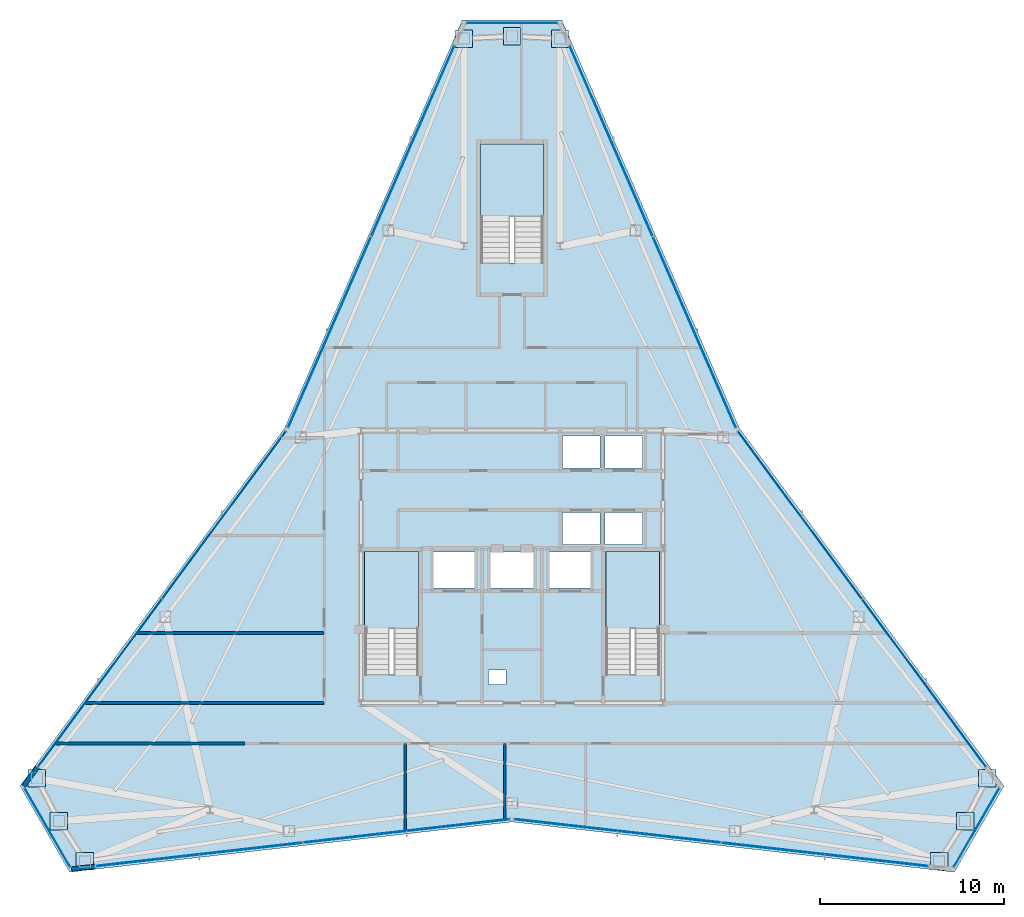
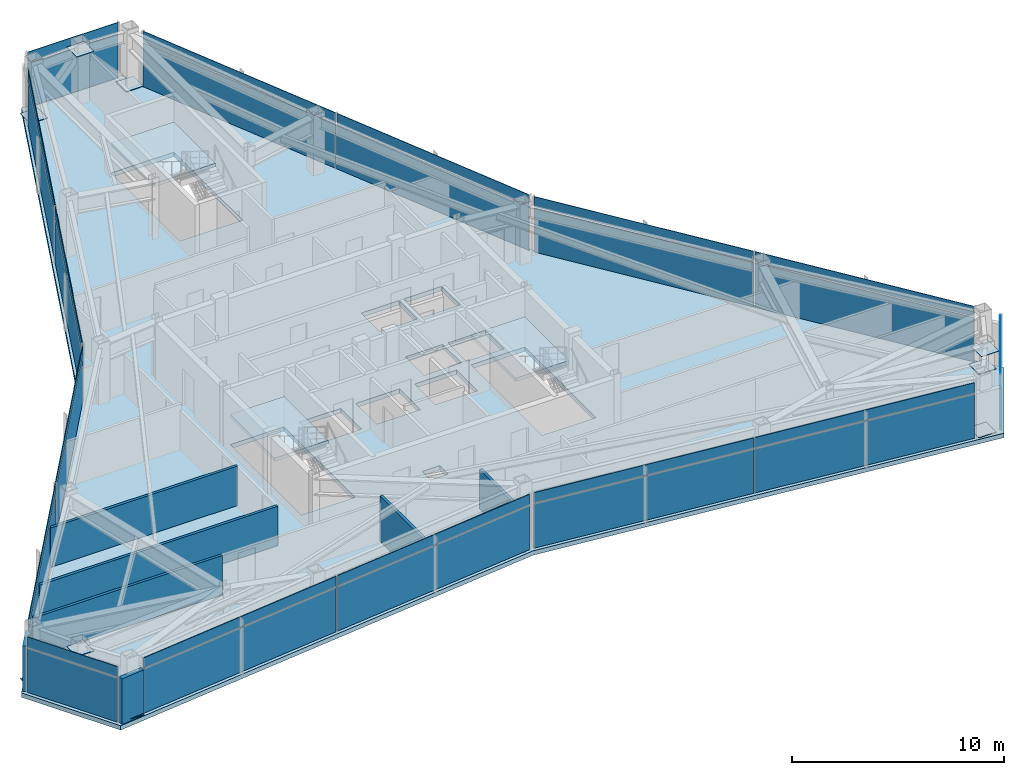
# One storey, part 8 of 12: 39 plates, 7 walls, 4 slabs, 12 elements without a shape of their own.
"""IFC4 building model written with IfcOpenShell, lengths in metres."""

import ifcopenshell
import ifcopenshell.guid

model = None  # the IFC model being written
_history = None  # IfcOwnerHistory: only IFC2X3 demands one
_inside = {}  # id of a spatial element -> (the spatial element, [elements in it])
_under = {}  # id of a project, library or spatial element -> (it, [spatial elements below it])
_declared = {}  # id of a project -> (the project, [libraries it declares])
_typed = {}  # id of a type object -> (the type object, [elements of that type])
_made_of = {}  # id of a material, layer set ... -> (it, [elements and type objects made of it])


def new_model(schema):
    """Start an empty IFC model of exactly this schema.

    Asked for "IFC4X3", IfcOpenShell would pick the latest addendum, in which some entities
    have other attributes; the version numbers below select the first issue.
    IFC2X3 requires an IfcOwnerHistory on every rooted entity: one is made here for all.
    """
    global model, _history
    if schema == "IFC4X3":
        model = ifcopenshell.file(schema_version=(4, 3, 0, 0))
    else:
        model = ifcopenshell.file(schema=schema)
    _inside.clear()
    _under.clear()
    _declared.clear()
    _typed.clear()
    _made_of.clear()
    _history = None
    if model.schema == "IFC2X3":
        org = make("IfcOrganization", Name="unknown")
        user = make(
            "IfcPersonAndOrganization",
            ThePerson=make("IfcPerson", FamilyName="unknown"),
            TheOrganization=org,
        )
        app = make(
            "IfcApplication",
            ApplicationDeveloper=org,
            Version="unknown",
            ApplicationFullName="unknown",
            ApplicationIdentifier="unknown",
        )
        _history = make(
            "IfcOwnerHistory",
            OwningUser=user,
            OwningApplication=app,
            ChangeAction="ADDED",
            CreationDate=0,
        )
    return model


def make(cls, **values):
    """One entity of the class cls with the attributes given. An attribute that is None is left unset."""
    return model.create_entity(
        cls, **{name: value for name, value in values.items() if value is not None}
    )


def rooted(cls, **values):
    """An entity with a GlobalId (a new one), such as an element, a storey or a relation."""
    return make(cls, GlobalId=ifcopenshell.guid.new(), OwnerHistory=_history, **values)


def si_unit(unit_type, name, prefix=None):
    """IfcSIUnit, for example si_unit("LENGTHUNIT", "METRE", prefix="MILLI")."""
    return make("IfcSIUnit", UnitType=unit_type, Prefix=prefix, Name=name)


def assignment(units):
    """IfcUnitAssignment: the units of a project."""
    return None if units is None else make("IfcUnitAssignment", Units=units)


def point(xyz):
    """IfcCartesianPoint."""
    return None if xyz is None else make("IfcCartesianPoint", Coordinates=xyz)


def direction(xyz):
    """IfcDirection."""
    return None if xyz is None else make("IfcDirection", DirectionRatios=xyz)


def frame(location, z_axis=None, x_axis=None):
    """IfcAxis2Placement3D, a coordinate frame: its origin and axes. An axis left out is left unset."""
    return make(
        "IfcAxis2Placement3D",
        Location=point(location),
        Axis=direction(z_axis),
        RefDirection=direction(x_axis),
    )


def frame_2d(location, x_axis=None):
    """IfcAxis2Placement2D, a coordinate frame in the plane: its origin and x axis."""
    return make(
        "IfcAxis2Placement2D", Location=point(location), RefDirection=direction(x_axis)
    )


def origin():
    """The frame at (0, 0, 0) with its axes left unset."""
    return frame((0.0, 0.0, 0.0))


def origin_2d():
    """The frame at (0, 0) in the plane with its x axis left unset."""
    return frame_2d((0.0, 0.0))


def place(relative_to, where):
    """IfcLocalPlacement: puts the frame where relative to a parent placement (None: the world)."""
    return make(
        "IfcLocalPlacement", PlacementRelTo=relative_to, RelativePlacement=where
    )


def context(
    kind, dimensions, precision=None, world=None, true_north=None, identifier=None
):
    """IfcGeometricRepresentationContext, for example the 3D "Model" context."""
    return make(
        "IfcGeometricRepresentationContext",
        ContextIdentifier=identifier,
        ContextType=kind,
        CoordinateSpaceDimension=dimensions,
        Precision=precision,
        WorldCoordinateSystem=world,
        TrueNorth=true_north,
    )


def subcontext(parent, identifier, kind, view, scale=None):
    """IfcGeometricRepresentationSubContext, for example "Body" below "Model"."""
    return make(
        "IfcGeometricRepresentationSubContext",
        ContextIdentifier=identifier,
        ContextType=kind,
        ParentContext=parent,
        TargetScale=scale,
        TargetView=view,
    )


def project(units=None, contexts=None):
    """IfcProject with its units and contexts."""
    return rooted(
        "IfcProject",
        Name="project",
        RepresentationContexts=contexts,
        UnitsInContext=assignment(units),
    )


def spatial(cls, under=None, at=None, **own):
    """A site, building, storey or space (cls), placed at a placement, below another one or the project."""
    s = rooted(cls, ObjectPlacement=at, **own)
    if under is not None:
        _under.setdefault(under.id(), (under, []))[1].append(s)
    return s


def polyline(points):
    """IfcPolyline through the points."""
    return make("IfcPolyline", Points=[point(p) for p in points])


def profile(cls, at=None, kind="AREA", **sizes):
    """A parametric profile (cls). Its sizes go by their IFC names, for example OverallWidth=200.0."""
    return make(cls, ProfileType=kind, Position=at, **sizes)


def rectangle(**sizes):
    """IfcRectangleProfileDef."""
    return profile("IfcRectangleProfileDef", **sizes)


def outline(outer, holes=None, kind="AREA"):
    """IfcArbitraryClosedProfileDef: a profile drawn as a closed curve; with holes, ...WithVoids."""
    if holes is None:
        return make("IfcArbitraryClosedProfileDef", ProfileType=kind, OuterCurve=outer)
    return make(
        "IfcArbitraryProfileDefWithVoids",
        ProfileType=kind,
        OuterCurve=outer,
        InnerCurves=holes,
    )


def extrude(swept, where, along, depth):
    """IfcExtrudedAreaSolid: the profile swept, set in the frame where, extruded along a direction by depth."""
    return make(
        "IfcExtrudedAreaSolid",
        SweptArea=swept,
        Position=where,
        ExtrudedDirection=direction(along),
        Depth=depth,
    )


def shape(context_of_items, identifier, shape_type, items):
    """IfcShapeRepresentation: the items that make up one representation, for example the "Body"."""
    return make(
        "IfcShapeRepresentation",
        ContextOfItems=context_of_items,
        RepresentationIdentifier=identifier,
        RepresentationType=shape_type,
        Items=items,
    )


def source(mapping_origin, context_of_items, identifier, shape_type, items):
    """IfcRepresentationMap: a shape defined once, which mapped items show again and again."""
    return make(
        "IfcRepresentationMap",
        MappingOrigin=mapping_origin,
        MappedRepresentation=shape(context_of_items, identifier, shape_type, items),
    )


def transform(
    local_origin,
    x_axis=None,
    y_axis=None,
    z_axis=None,
    scale=None,
    scale2=None,
    scale3=None,
    uniform=True,
):
    """IfcCartesianTransformationOperator3D, or its non-uniform kind. x_axis, y_axis, z_axis: its Axis1, 2, 3."""
    if uniform:
        return make(
            "IfcCartesianTransformationOperator3D",
            Axis1=direction(x_axis),
            Axis2=direction(y_axis),
            LocalOrigin=point(local_origin),
            Scale=scale,
            Axis3=direction(z_axis),
        )
    return make(
        "IfcCartesianTransformationOperator3DnonUniform",
        Axis1=direction(x_axis),
        Axis2=direction(y_axis),
        LocalOrigin=point(local_origin),
        Scale=scale,
        Axis3=direction(z_axis),
        Scale2=scale2,
        Scale3=scale3,
    )


def mapped(mapping_source, mapping_target):
    """IfcMappedItem: shows the shape of a source again, moved by a transform."""
    return make(
        "IfcMappedItem", MappingSource=mapping_source, MappingTarget=mapping_target
    )


def material(Name=None, Category=None):
    """IfcMaterial."""
    return make("IfcMaterial", Name=Name, Category=Category)


def layer(
    of_material, thickness, ventilated=None, Name=None, Category=None, Priority=None
):
    """IfcMaterialLayer: one layer of a wall or slab, of a material (None: an air gap)."""
    return make(
        "IfcMaterialLayer",
        Material=of_material,
        LayerThickness=thickness,
        IsVentilated=ventilated,
        Name=Name,
        Category=Category,
        Priority=Priority,
    )


def layer_set(layers, Name=None):
    """IfcMaterialLayerSet."""
    return make("IfcMaterialLayerSet", MaterialLayers=layers, LayerSetName=Name)


def made_of(thing, what):
    """Note that an element or type object is made of a material, layer set ...; save() writes the relation."""
    if what is not None:
        _made_of.setdefault(what.id(), (what, []))[1].append(thing)
    return thing


def type_object(cls, material=None, **own):
    """A type object (cls), such as IfcWallType, which elements share."""
    return made_of(rooted(cls, **own), material)


def type_shapes(of_type, sources):
    """Give a type object the sources (RepresentationMaps) that its elements show as mapped items."""
    of_type.RepresentationMaps = sources


def element(
    cls,
    number,
    at=None,
    inside=None,
    cuts=None,
    type_object=None,
    material=None,
    context=None,
    identifier="Body",
    shape_type=None,
    held_by="IfcProductDefinitionShape",
    body=None,
    shapes=None,
    **own,
):
    """One element of the class cls, such as IfcWall. Its Tag is "e" and its number.

    at: its placement. inside: the storey or other place that contains it. cuts: it is an
    opening in that element (IfcRelVoidsElement). A single representation is given by context,
    identifier, shape_type and body (its items); several are given by shapes. held_by: the class
    of the entity that holds the representations. save() writes the other relations.
    """
    e = rooted(cls, Tag="e%d" % number, ObjectPlacement=at, **own)
    if body is not None:
        shapes = [shape(context, identifier, shape_type, body)]
    if shapes is not None:
        e.Representation = make(held_by, Representations=shapes)
    if inside is not None:
        _inside.setdefault(inside.id(), (inside, []))[1].append(e)
    if cuts is not None:
        rooted(
            "IfcRelVoidsElement", RelatingBuildingElement=cuts, RelatedOpeningElement=e
        )
    if type_object is not None:
        _typed.setdefault(type_object.id(), (type_object, []))[1].append(e)
    return made_of(e, material)


def aggregate(whole, parts):
    """IfcRelAggregates: a whole, such as a stair, and the parts it consists of."""
    return rooted("IfcRelAggregates", RelatingObject=whole, RelatedObjects=parts)


def save(model, path):
    """Write the relations noted so far, then the file.

    IfcRelAggregates (storeys below a building ...), IfcRelContainedInSpatialStructure (elements
    in a storey), IfcRelDefinesByType, IfcRelAssociatesMaterial and IfcRelDeclares: one each for
    every whole, place, type object, material and project.
    """
    for whole, parts in _under.values():
        aggregate(whole, parts)
    for where, things in _inside.values():
        rooted(
            "IfcRelContainedInSpatialStructure",
            RelatedElements=things,
            RelatingStructure=where,
        )
    for kind, things in _typed.values():
        rooted("IfcRelDefinesByType", RelatedObjects=things, RelatingType=kind)
    for what, things in _made_of.values():
        rooted("IfcRelAssociatesMaterial", RelatedObjects=things, RelatingMaterial=what)
    for by, libraries in _declared.values():
        rooted("IfcRelDeclares", RelatingContext=by, RelatedDefinitions=libraries)
    model.write(path)


model = new_model("IFC4")

# Units and contexts
model_context = context("Model", 3, precision=1e-05, world=origin(), true_north=direction((0.0, 1.0)))
body_context = subcontext(model_context, "Body", "Model", "MODEL_VIEW")
ifc_project = project(units=[si_unit("LENGTHUNIT", "METRE"), si_unit("AREAUNIT", "SQUARE_METRE"), si_unit("VOLUMEUNIT", "CUBIC_METRE"), si_unit("PLANEANGLEUNIT", "RADIAN"), si_unit("MASSUNIT", "GRAM", prefix="KILO")], contexts=[model_context])

# Site, building, storey
site_placement = place(None, origin())
site = spatial("IfcSite", under=ifc_project, at=site_placement, CompositionType="ELEMENT")
building_placement = place(site_placement, origin())
building = spatial("IfcBuilding", under=site, at=building_placement, Name="Varakhsha Concourse Tower", CompositionType="ELEMENT")
storey_placement = place(building_placement, frame((0.0, 0.0, 283.0)))
storey = spatial("IfcBuildingStorey", under=building, at=storey_placement, Name="L80", CompositionType="ELEMENT", Elevation=283.0)

# Slab
ifc_material_1 = material(Name="Concrete fc 45 MPa", Category="concrete")
ifc_layer_1 = layer(ifc_material_1, 0.25, Name="SL-FLR-250")
ifc_layer_set_1 = layer_set([ifc_layer_1], Name="Concrete fc 45 MPa")
slab_type_1 = type_object("IfcSlabType", Name="SL-FLR-250", PredefinedType="FLOOR", material=ifc_layer_set_1)
slab_1_placement = place(storey_placement, frame((0.0, 0.0, -0.25)))
element("IfcSlab", 1, at=slab_1_placement, inside=storey, type_object=slab_type_1, Name="L80 Composite Structural Slab", PredefinedType="FLOOR", context=body_context, shape_type="SweptSolid", body=[
    extrude(outline(polyline([(42.699951171875, 53.496826171875), (37.300048828125, 53.496826171875), (27.651611328125, 31.329345703125), (13.2783203125, 11.889892578125), (15.978271484375, 7.21337890625), (40.0, 9.94140625), (64.021728515625, 7.21337890625), (66.7216796875, 11.889892578125), (52.348388671875, 31.329345703125), (42.699951171875, 53.496826171875)]), holes=[polyline([(34.919921875, 17.93994140625), (34.919921875, 24.6298828125), (32.0, 24.6298828125), (32.0, 17.93994140625), (34.919921875, 17.93994140625)]), polyline([(48.02001953125, 17.93994140625), (48.02001953125, 24.6298828125), (45.10009765625, 24.6298828125), (45.10009765625, 17.93994140625), (48.02001953125, 17.93994140625)]), polyline([(41.699951171875, 40.300048828125), (41.699951171875, 46.75), (38.300048828125, 46.75), (38.300048828125, 40.300048828125), (41.699951171875, 40.300048828125)]), polyline([(42.739990234375, 29.159912109375), (44.780029296875, 29.159912109375), (44.780029296875, 30.89990234375), (42.739990234375, 30.89990234375), (42.739990234375, 29.159912109375)]), polyline([(45.06005859375, 29.159912109375), (47.10009765625, 29.159912109375), (47.10009765625, 30.89990234375), (45.06005859375, 30.89990234375), (45.06005859375, 29.159912109375)]), polyline([(42.739990234375, 25.0), (44.780029296875, 25.0), (44.780029296875, 26.739990234375), (42.739990234375, 26.739990234375), (42.739990234375, 25.0)]), polyline([(45.06005859375, 25.0), (47.10009765625, 25.0), (47.10009765625, 26.739990234375), (45.06005859375, 26.739990234375), (45.06005859375, 25.0)]), polyline([(35.7099609375, 22.639892578125), (37.989990234375, 22.639892578125), (37.989990234375, 24.60009765625), (35.7099609375, 24.60009765625), (35.7099609375, 22.639892578125)]), polyline([(42.010009765625, 22.639892578125), (44.2900390625, 22.639892578125), (44.2900390625, 24.60009765625), (42.010009765625, 24.60009765625), (42.010009765625, 22.639892578125)]), polyline([(38.81005859375, 22.639892578125), (41.18994140625, 22.639892578125), (41.18994140625, 24.60009765625), (38.81005859375, 24.60009765625), (38.81005859375, 22.639892578125)]), polyline([(38.719970703125, 17.39990234375), (39.679931640625, 17.39990234375), (39.679931640625, 18.199951171875), (38.719970703125, 18.199951171875), (38.719970703125, 17.39990234375)])]), origin(), (0.0, 0.0, 1.0), 0.25),
])

# Stair, slab
stair_type_1 = type_object("IfcStairType", Name="ST-DOGLEG-1360", PredefinedType="HALF_TURN_STAIR", material=ifc_material_1)
stair_1_placement = place(storey_placement, origin())
stair_1 = element("IfcStair", 2, at=stair_1_placement, inside=storey, type_object=stair_type_1, Name="L80 Protected Exit Stair ST1", PredefinedType="HALF_TURN_STAIR")
ifc_layer_2 = layer(ifc_material_1, 0.199951171875, Name="SL-LAND-200")
ifc_layer_set_2 = layer_set([ifc_layer_2], Name="Concrete fc 45 MPa")
slab_type_2 = type_object("IfcSlabType", Name="SL-LAND-200", PredefinedType="LANDING", material=ifc_layer_set_2)
slab_2_placement = place(storey_placement, frame((0.0, 0.0, 1.550048828125)))
slab_2 = element("IfcSlab", 3, at=slab_2_placement, type_object=slab_type_2, Name="ST1 landing 1", PredefinedType="LANDING", context=body_context, shape_type="SweptSolid", body=[
    extrude(outline(polyline([(34.919921875, 20.4599609375), (34.919921875, 24.6298828125), (32.0, 24.6298828125), (32.0, 20.4599609375), (34.919921875, 20.4599609375)])), origin(), (0.0, 0.0, 1.0), 0.199951171875),
])
aggregate(stair_1, [slab_2])

stair_2_placement = place(storey_placement, origin())
stair_2 = element("IfcStair", 4, at=stair_2_placement, inside=storey, type_object=stair_type_1, Name="L80 Protected Exit Stair ST2", PredefinedType="HALF_TURN_STAIR")
slab_3_placement = place(storey_placement, frame((0.0, 0.0, 1.550048828125)))
slab_3 = element("IfcSlab", 5, at=slab_3_placement, type_object=slab_type_2, Name="ST2 landing 1", PredefinedType="LANDING", context=body_context, shape_type="SweptSolid", body=[
    extrude(outline(polyline([(48.02001953125, 20.4599609375), (48.02001953125, 24.6298828125), (45.10009765625, 24.6298828125), (45.10009765625, 20.4599609375), (48.02001953125, 20.4599609375)])), origin(), (0.0, 0.0, 1.0), 0.199951171875),
])
aggregate(stair_2, [slab_3])

stair_type_2 = type_object("IfcStairType", Name="ST-DOGLEG-1600", PredefinedType="HALF_TURN_STAIR", material=ifc_material_1)
stair_3_placement = place(storey_placement, origin())
stair_3 = element("IfcStair", 6, at=stair_3_placement, inside=storey, type_object=stair_type_2, Name="L80 Protected Exit Stair ST5", PredefinedType="HALF_TURN_STAIR")
slab_4_placement = place(storey_placement, frame((0.0, 0.0, 1.550048828125)))
slab_4 = element("IfcSlab", 7, at=slab_4_placement, type_object=slab_type_2, Name="ST5 landing 1", PredefinedType="LANDING", context=body_context, shape_type="SweptSolid", body=[
    extrude(outline(polyline([(41.699951171875, 42.820068359375), (41.699951171875, 46.75), (38.300048828125, 46.75), (38.300048828125, 42.820068359375), (41.699951171875, 42.820068359375)])), origin(), (0.0, 0.0, 1.0), 0.199951171875),
])
aggregate(stair_3, [slab_4])

# Plates
ifc_material_2 = material(Name="Structural Steel ASTM A572 Grade 50", Category="steel")
ifc_layer_3 = layer(ifc_material_2, 0.030029296875, Name="PL-ENDCAP-950")
ifc_layer_set_3 = layer_set([ifc_layer_3], Name="Structural Steel ASTM A572 Grade 50")
plate_type_1 = type_object("IfcPlateType", Name="PL-ENDCAP-950", PredefinedType="USERDEFINED", material=ifc_layer_set_3)
shared_shape_1 = source(origin(), body_context, "Body", "SweptSolid", [
    extrude(rectangle(XDim=0.949951171875, YDim=0.949951171875, at=origin_2d()), origin(), (0.0, 0.0, 1.0), 0.030029296875),
])
type_shapes(plate_type_1, [shared_shape_1])
for number, where, z_axis, x_axis, name in (
    (8, (42.607177734375, 52.489013671875, 0.10498046875), (0.0, 0.0, 1.0), (1.0, 0.0, 0.0), "Hollow Section End Cap GP-NODE-L80-0847"),
    (9, (40.0, 52.61669921875, 2.93505859375), (0.0, 0.0, 1.0), (1.0, 0.0, 0.0), "Hollow Section End Cap GP-NODE-L80-0848"),
    (10, (37.392822265625, 52.489013671875, 0.10498046875), (0.0, 0.0, 1.0), (1.0, 0.0, 0.0), "Hollow Section End Cap GP-NODE-L80-0849"),
    (11, (14.197509765625, 12.313232421875, 0.10498046875), (0.0, 0.0, 1.0), (1.0, 0.0, 0.0), "Hollow Section End Cap GP-NODE-L80-0850"),
    (12, (15.390380859375, 9.99169921875, 2.93505859375), (0.0, 0.0, 1.0), (1.0, 0.0, 0.0), "Hollow Section End Cap GP-NODE-L80-0851"),
    (13, (16.8046875, 7.797607421875, 0.10498046875), (0.0, 0.0, 1.0), (1.0, 0.0, 0.0), "Hollow Section End Cap GP-NODE-L80-0852"),
    (14, (63.1953125, 7.797607421875, 0.10498046875), (0.0, 0.0, 1.0), (1.0, 0.0, 0.0), "Hollow Section End Cap GP-NODE-L80-0853"),
    (15, (64.609619140625, 9.99169921875, 2.93505859375), (0.0, 0.0, 1.0), (1.0, 0.0, 0.0), "Hollow Section End Cap GP-NODE-L80-0854"),
    (16, (65.802490234375, 12.313232421875, 0.10498046875), (0.0, 0.0, 1.0), (1.0, 0.0, 0.0), "Hollow Section End Cap GP-NODE-L80-0855"),
):
    element("IfcPlate", number, at=place(storey_placement, frame(where, z_axis=z_axis, x_axis=x_axis)), inside=storey, type_object=plate_type_1, Name=name, ObjectType="END PLATE", PredefinedType="USERDEFINED", context=body_context, shape_type="MappedRepresentation", body=[
        mapped(shared_shape_1, transform((0.0, 0.0, 0.0), scale=1.0)),
    ])

# Curtain wall, plate
ifc_material_3 = material(Name="Anodised Bronze Architectural Aluminium AA 6063-T6", Category="aluminium")
ifc_layer_4 = layer(ifc_material_3, 0.199951171875, Name="CW-SYS-05")
ifc_layer_set_4 = layer_set([ifc_layer_4], Name="Anodised Bronze Architectural Aluminium AA 6063-T6")
curtain_wall_type = type_object("IfcCurtainWallType", Name="CW-SYS-05", PredefinedType="NOTDEFINED", material=ifc_layer_set_4)
curtain_wall_1_placement = place(storey_placement, origin())
curtain_wall_1 = element("IfcCurtainWall", 17, at=curtain_wall_1_placement, inside=storey, type_object=curtain_wall_type, Name="L80 Chamfer Curtain Wall F1", PredefinedType="NOTDEFINED")
ifc_material_4 = material(Name="Insulated Anodised Bronze Aluminium Spandrel 36 mm", Category="aluminium")
ifc_layer_5 = layer(ifc_material_4, 0.035888671875, Name="CWP-SPN-36")
ifc_layer_set_5 = layer_set([ifc_layer_5], Name="Insulated Anodised Bronze Aluminium Spandrel 36 mm")
plate_type_2 = type_object("IfcPlateType", Name="CWP-SPN-36", PredefinedType="USERDEFINED", material=ifc_layer_set_5)
shared_shape_2 = source(origin(), body_context, "Body", "SweptSolid", [
    extrude(rectangle(XDim=4.89111328125, YDim=0.035888671875, at=origin_2d()), origin(), (0.0, 0.0, 1.0), 2.535888671875),
])
plate_1_placement = place(storey_placement, frame((40.0, 53.3369140625, 0.0322265625), z_axis=(0.0, 0.0, 1.0), x_axis=(1.0, 0.0, 0.0)))
plate_1 = element("IfcPlate", 18, at=plate_1_placement, type_object=plate_type_2, Name="CW-L80-F1 Panel 00-00", ObjectType="SPANDREL", PredefinedType="USERDEFINED", context=body_context, shape_type="MappedRepresentation", body=[
    mapped(shared_shape_2, transform((0.0, 0.0, 0.0), scale=1.0)),
])

curtain_wall_2_placement = place(storey_placement, origin())
curtain_wall_2 = element("IfcCurtainWall", 19, at=curtain_wall_2_placement, inside=storey, type_object=curtain_wall_type, Name="L80 Chamfer Curtain Wall F4", PredefinedType="NOTDEFINED")
plate_2_placement = place(storey_placement, frame((14.766845703125, 9.631591796875, 0.0322265625), z_axis=(0.0, 0.0, 1.0), x_axis=(-0.499989419466, 0.866031512372, 0.0)))
plate_2 = element("IfcPlate", 20, at=plate_2_placement, type_object=plate_type_2, Name="CW-L80-F4 Panel 00-00", ObjectType="SPANDREL", PredefinedType="USERDEFINED", context=body_context, shape_type="MappedRepresentation", body=[
    mapped(shared_shape_2, transform((0.0, 0.0, 0.0), scale=1.0)),
])

curtain_wall_3_placement = place(storey_placement, origin())
curtain_wall_3 = element("IfcCurtainWall", 21, at=curtain_wall_3_placement, inside=storey, type_object=curtain_wall_type, Name="L80 Chamfer Curtain Wall F7", PredefinedType="NOTDEFINED")
plate_3_placement = place(storey_placement, frame((65.233154296875, 9.631591796875, 0.0322265625), z_axis=(0.0, 0.0, 1.0), x_axis=(-0.499989419466, -0.866031512372, 0.0)))
plate_3 = element("IfcPlate", 22, at=plate_3_placement, type_object=plate_type_2, Name="CW-L80-F7 Panel 00-00", ObjectType="SPANDREL", PredefinedType="USERDEFINED", context=body_context, shape_type="MappedRepresentation", body=[
    mapped(shared_shape_2, transform((0.0, 0.0, 0.0), scale=1.0)),
])

# Plate
shared_shape_3 = source(origin(), body_context, "Body", "SweptSolid", [
    extrude(rectangle(XDim=4.89111328125, YDim=0.035888671875, at=origin_2d()), origin(), (0.0, 0.0, 1.0), 0.5859375),
])
plate_4_placement = place(storey_placement, frame((40.0, 53.3369140625, 2.632080078125), z_axis=(0.0, 0.0, 1.0), x_axis=(1.0, 0.0, 0.0)))
plate_4 = element("IfcPlate", 23, at=plate_4_placement, type_object=plate_type_2, Name="CW-L80-F1 Panel 00-01", ObjectType="SPANDREL", PredefinedType="USERDEFINED", context=body_context, shape_type="MappedRepresentation", body=[
    mapped(shared_shape_3, transform((0.0, 0.0, 0.0), scale=1.0)),
])

aggregate(curtain_wall_1, [plate_1, plate_4])

plate_5_placement = place(storey_placement, frame((14.766845703125, 9.631591796875, 2.632080078125), z_axis=(0.0, 0.0, 1.0), x_axis=(-0.499989419466, 0.866031512372, 0.0)))
plate_5 = element("IfcPlate", 24, at=plate_5_placement, type_object=plate_type_2, Name="CW-L80-F4 Panel 00-01", ObjectType="SPANDREL", PredefinedType="USERDEFINED", context=body_context, shape_type="MappedRepresentation", body=[
    mapped(shared_shape_3, transform((0.0, 0.0, 0.0), scale=1.0)),
])

aggregate(curtain_wall_2, [plate_2, plate_5])

plate_6_placement = place(storey_placement, frame((65.233154296875, 9.631591796875, 2.632080078125), z_axis=(0.0, 0.0, 1.0), x_axis=(-0.499989419466, -0.866031512372, 0.0)))
plate_6 = element("IfcPlate", 25, at=plate_6_placement, type_object=plate_type_2, Name="CW-L80-F7 Panel 00-01", ObjectType="SPANDREL", PredefinedType="USERDEFINED", context=body_context, shape_type="MappedRepresentation", body=[
    mapped(shared_shape_3, transform((0.0, 0.0, 0.0), scale=1.0)),
])

aggregate(curtain_wall_3, [plate_3, plate_6])

# Curtain wall, plates
curtain_wall_4_placement = place(storey_placement, origin())
curtain_wall_4 = element("IfcCurtainWall", 26, at=curtain_wall_4_placement, inside=storey, type_object=curtain_wall_type, Name="L80 Crystal Curtain Wall F2", PredefinedType="NOTDEFINED")
ifc_material_5 = material(Name="Low-E Triple Insulating Glass IGU 44 mm", Category="glass")
ifc_layer_6 = layer(ifc_material_5, 0.0439453125, Name="CWP-IGU-44")
ifc_layer_set_6 = layer_set([ifc_layer_6], Name="Low-E Triple Insulating Glass IGU 44 mm")
plate_type_3 = type_object("IfcPlateType", Name="CWP-IGU-44", PredefinedType="CURTAIN_PANEL", material=ifc_layer_set_6)
shared_shape_4 = source(origin(), body_context, "Body", "SweptSolid", [
    extrude(rectangle(XDim=11.26904296875, YDim=0.0439453125, at=origin_2d()), origin(), (0.0, 0.0, 1.0), 2.535888671875),
])
type_shapes(plate_type_3, [shared_shape_4])
plate_7_placement = place(storey_placement, frame((30.0927734375, 36.536865234375, 0.0322265625), z_axis=(0.0, 0.0, 1.0), x_axis=(0.39908356189, 0.916914560158, 0.0)))
plate_7 = element("IfcPlate", 27, at=plate_7_placement, type_object=plate_type_3, Name="CW-L80-F2 Panel 00-00", PredefinedType="CURTAIN_PANEL", context=body_context, shape_type="MappedRepresentation", body=[
    mapped(shared_shape_4, transform((0.0, 0.0, 0.0), scale=1.0)),
])
plate_8_placement = place(storey_placement, frame((34.61767578125, 46.932861328125, 0.0322265625), z_axis=(0.0, 0.0, 1.0), x_axis=(0.39908356189, 0.916914560158, 0.0)))
plate_8 = element("IfcPlate", 28, at=plate_8_placement, type_object=plate_type_3, Name="CW-L80-F2 Panel 01-00", PredefinedType="CURTAIN_PANEL", context=body_context, shape_type="MappedRepresentation", body=[
    mapped(shared_shape_4, transform((0.0, 0.0, 0.0), scale=1.0)),
])

curtain_wall_5_placement = place(storey_placement, origin())
curtain_wall_5 = element("IfcCurtainWall", 29, at=curtain_wall_5_placement, inside=storey, type_object=curtain_wall_type, Name="L80 Crystal Curtain Wall F3", PredefinedType="NOTDEFINED")
plate_9_placement = place(storey_placement, frame((17.62158203125, 17.494873046875, 0.0322265625), z_axis=(0.0, 0.0, 1.0), x_axis=(0.594533731364, 0.804070669948, 0.0)))
plate_9 = element("IfcPlate", 30, at=plate_9_placement, type_object=plate_type_3, Name="CW-L80-F3 Panel 00-00", PredefinedType="CURTAIN_PANEL", context=body_context, shape_type="MappedRepresentation", body=[
    mapped(shared_shape_4, transform((0.0, 0.0, 0.0), scale=1.0)),
])
plate_10_placement = place(storey_placement, frame((24.3623046875, 26.611572265625, 0.0322265625), z_axis=(0.0, 0.0, 1.0), x_axis=(0.594533731364, 0.804070669948, 0.0)))
plate_10 = element("IfcPlate", 31, at=plate_10_placement, type_object=plate_type_3, Name="CW-L80-F3 Panel 01-00", PredefinedType="CURTAIN_PANEL", context=body_context, shape_type="MappedRepresentation", body=[
    mapped(shared_shape_4, transform((0.0, 0.0, 0.0), scale=1.0)),
])

curtain_wall_6_placement = place(storey_placement, origin())
curtain_wall_6 = element("IfcCurtainWall", 32, at=curtain_wall_6_placement, inside=storey, type_object=curtain_wall_type, Name="L80 Crystal Curtain Wall F5", PredefinedType="NOTDEFINED")
plate_11_placement = place(storey_placement, frame((34.269775390625, 9.45166015625, 0.0322265625), z_axis=(0.0, 0.0, 1.0), x_axis=(-0.993612689247, -0.112844245613, 0.0)))
plate_11 = element("IfcPlate", 33, at=plate_11_placement, type_object=plate_type_3, Name="CW-L80-F5 Panel 00-00", PredefinedType="CURTAIN_PANEL", context=body_context, shape_type="MappedRepresentation", body=[
    mapped(shared_shape_4, transform((0.0, 0.0, 0.0), scale=1.0)),
])
plate_12_placement = place(storey_placement, frame((23.00390625, 8.172119140625, 0.0322265625), z_axis=(0.0, 0.0, 1.0), x_axis=(-0.993612689247, -0.112844245613, 0.0)))
plate_12 = element("IfcPlate", 34, at=plate_12_placement, type_object=plate_type_3, Name="CW-L80-F5 Panel 01-00", PredefinedType="CURTAIN_PANEL", context=body_context, shape_type="MappedRepresentation", body=[
    mapped(shared_shape_4, transform((0.0, 0.0, 0.0), scale=1.0)),
])

curtain_wall_7_placement = place(storey_placement, origin())
curtain_wall_7 = element("IfcCurtainWall", 35, at=curtain_wall_7_placement, inside=storey, type_object=curtain_wall_type, Name="L80 Crystal Curtain Wall F6", PredefinedType="NOTDEFINED")
plate_13_placement = place(storey_placement, frame((56.99609375, 8.172119140625, 0.0322265625), z_axis=(0.0, 0.0, 1.0), x_axis=(-0.993612689247, 0.112844245613, 0.0)))
plate_13 = element("IfcPlate", 36, at=plate_13_placement, type_object=plate_type_3, Name="CW-L80-F6 Panel 00-00", PredefinedType="CURTAIN_PANEL", context=body_context, shape_type="MappedRepresentation", body=[
    mapped(shared_shape_4, transform((0.0, 0.0, 0.0), scale=1.0)),
])
plate_14_placement = place(storey_placement, frame((45.73046875, 9.45166015625, 0.0322265625), z_axis=(0.0, 0.0, 1.0), x_axis=(-0.993612689247, 0.112844245613, 0.0)))
plate_14 = element("IfcPlate", 37, at=plate_14_placement, type_object=plate_type_3, Name="CW-L80-F6 Panel 01-00", PredefinedType="CURTAIN_PANEL", context=body_context, shape_type="MappedRepresentation", body=[
    mapped(shared_shape_4, transform((0.0, 0.0, 0.0), scale=1.0)),
])

curtain_wall_8_placement = place(storey_placement, origin())
curtain_wall_8 = element("IfcCurtainWall", 38, at=curtain_wall_8_placement, inside=storey, type_object=curtain_wall_type, Name="L80 Crystal Curtain Wall F8", PredefinedType="NOTDEFINED")
plate_15_placement = place(storey_placement, frame((55.6376953125, 26.611572265625, 0.0322265625), z_axis=(0.0, 0.0, 1.0), x_axis=(0.594533731364, -0.804070669948, 0.0)))
plate_15 = element("IfcPlate", 39, at=plate_15_placement, type_object=plate_type_3, Name="CW-L80-F8 Panel 00-00", PredefinedType="CURTAIN_PANEL", context=body_context, shape_type="MappedRepresentation", body=[
    mapped(shared_shape_4, transform((0.0, 0.0, 0.0), scale=1.0)),
])
plate_16_placement = place(storey_placement, frame((62.37841796875, 17.494873046875, 0.0322265625), z_axis=(0.0, 0.0, 1.0), x_axis=(0.594533731364, -0.804070669948, 0.0)))
plate_16 = element("IfcPlate", 40, at=plate_16_placement, type_object=plate_type_3, Name="CW-L80-F8 Panel 01-00", PredefinedType="CURTAIN_PANEL", context=body_context, shape_type="MappedRepresentation", body=[
    mapped(shared_shape_4, transform((0.0, 0.0, 0.0), scale=1.0)),
])

curtain_wall_9_placement = place(storey_placement, origin())
curtain_wall_9 = element("IfcCurtainWall", 41, at=curtain_wall_9_placement, inside=storey, type_object=curtain_wall_type, Name="L80 Crystal Curtain Wall F9", PredefinedType="NOTDEFINED")
plate_17_placement = place(storey_placement, frame((45.38232421875, 46.932861328125, 0.0322265625), z_axis=(0.0, 0.0, 1.0), x_axis=(0.39908356189, -0.916914560158, 0.0)))
plate_17 = element("IfcPlate", 42, at=plate_17_placement, type_object=plate_type_3, Name="CW-L80-F9 Panel 00-00", PredefinedType="CURTAIN_PANEL", context=body_context, shape_type="MappedRepresentation", body=[
    mapped(shared_shape_4, transform((0.0, 0.0, 0.0), scale=1.0)),
])
plate_18_placement = place(storey_placement, frame((49.9072265625, 36.536865234375, 0.0322265625), z_axis=(0.0, 0.0, 1.0), x_axis=(0.39908356189, -0.916914560158, 0.0)))
plate_18 = element("IfcPlate", 43, at=plate_18_placement, type_object=plate_type_3, Name="CW-L80-F9 Panel 01-00", PredefinedType="CURTAIN_PANEL", context=body_context, shape_type="MappedRepresentation", body=[
    mapped(shared_shape_4, transform((0.0, 0.0, 0.0), scale=1.0)),
])

# Plate
shared_shape_5 = source(origin(), body_context, "Body", "SweptSolid", [
    extrude(rectangle(XDim=11.26904296875, YDim=0.035888671875, at=origin_2d()), origin(), (0.0, 0.0, 1.0), 0.5859375),
])
type_shapes(plate_type_2, [shared_shape_2, shared_shape_3, shared_shape_5])
plate_19_placement = place(storey_placement, frame((30.0927734375, 36.536865234375, 2.632080078125), z_axis=(0.0, 0.0, 1.0), x_axis=(0.39908356189, 0.916914560158, 0.0)))
plate_19 = element("IfcPlate", 44, at=plate_19_placement, type_object=plate_type_2, Name="CW-L80-F2 Panel 00-01", ObjectType="SPANDREL", PredefinedType="USERDEFINED", context=body_context, shape_type="MappedRepresentation", body=[
    mapped(shared_shape_5, transform((0.0, 0.0, 0.0), scale=1.0)),
])

plate_20_placement = place(storey_placement, frame((34.61767578125, 46.932861328125, 2.632080078125), z_axis=(0.0, 0.0, 1.0), x_axis=(0.39908356189, 0.916914560158, 0.0)))
plate_20 = element("IfcPlate", 45, at=plate_20_placement, type_object=plate_type_2, Name="CW-L80-F2 Panel 01-01", ObjectType="SPANDREL", PredefinedType="USERDEFINED", context=body_context, shape_type="MappedRepresentation", body=[
    mapped(shared_shape_5, transform((0.0, 0.0, 0.0), scale=1.0)),
])

aggregate(curtain_wall_4, [plate_7, plate_19, plate_8, plate_20])

plate_21_placement = place(storey_placement, frame((17.62158203125, 17.494873046875, 2.632080078125), z_axis=(0.0, 0.0, 1.0), x_axis=(0.594533731364, 0.804070669948, 0.0)))
plate_21 = element("IfcPlate", 46, at=plate_21_placement, type_object=plate_type_2, Name="CW-L80-F3 Panel 00-01", ObjectType="SPANDREL", PredefinedType="USERDEFINED", context=body_context, shape_type="MappedRepresentation", body=[
    mapped(shared_shape_5, transform((0.0, 0.0, 0.0), scale=1.0)),
])

plate_22_placement = place(storey_placement, frame((24.3623046875, 26.611572265625, 2.632080078125), z_axis=(0.0, 0.0, 1.0), x_axis=(0.594533731364, 0.804070669948, 0.0)))
plate_22 = element("IfcPlate", 47, at=plate_22_placement, type_object=plate_type_2, Name="CW-L80-F3 Panel 01-01", ObjectType="SPANDREL", PredefinedType="USERDEFINED", context=body_context, shape_type="MappedRepresentation", body=[
    mapped(shared_shape_5, transform((0.0, 0.0, 0.0), scale=1.0)),
])

aggregate(curtain_wall_5, [plate_9, plate_21, plate_10, plate_22])

plate_23_placement = place(storey_placement, frame((34.269775390625, 9.45166015625, 2.632080078125), z_axis=(0.0, 0.0, 1.0), x_axis=(-0.993612689247, -0.112844245613, 0.0)))
plate_23 = element("IfcPlate", 48, at=plate_23_placement, type_object=plate_type_2, Name="CW-L80-F5 Panel 00-01", ObjectType="SPANDREL", PredefinedType="USERDEFINED", context=body_context, shape_type="MappedRepresentation", body=[
    mapped(shared_shape_5, transform((0.0, 0.0, 0.0), scale=1.0)),
])

plate_24_placement = place(storey_placement, frame((23.00390625, 8.172119140625, 2.632080078125), z_axis=(0.0, 0.0, 1.0), x_axis=(-0.993612689247, -0.112844245613, 0.0)))
plate_24 = element("IfcPlate", 49, at=plate_24_placement, type_object=plate_type_2, Name="CW-L80-F5 Panel 01-01", ObjectType="SPANDREL", PredefinedType="USERDEFINED", context=body_context, shape_type="MappedRepresentation", body=[
    mapped(shared_shape_5, transform((0.0, 0.0, 0.0), scale=1.0)),
])

aggregate(curtain_wall_6, [plate_11, plate_23, plate_12, plate_24])

plate_25_placement = place(storey_placement, frame((56.99609375, 8.172119140625, 2.632080078125), z_axis=(0.0, 0.0, 1.0), x_axis=(-0.993612689247, 0.112844245613, 0.0)))
plate_25 = element("IfcPlate", 50, at=plate_25_placement, type_object=plate_type_2, Name="CW-L80-F6 Panel 00-01", ObjectType="SPANDREL", PredefinedType="USERDEFINED", context=body_context, shape_type="MappedRepresentation", body=[
    mapped(shared_shape_5, transform((0.0, 0.0, 0.0), scale=1.0)),
])

plate_26_placement = place(storey_placement, frame((45.73046875, 9.45166015625, 2.632080078125), z_axis=(0.0, 0.0, 1.0), x_axis=(-0.993612689247, 0.112844245613, 0.0)))
plate_26 = element("IfcPlate", 51, at=plate_26_placement, type_object=plate_type_2, Name="CW-L80-F6 Panel 01-01", ObjectType="SPANDREL", PredefinedType="USERDEFINED", context=body_context, shape_type="MappedRepresentation", body=[
    mapped(shared_shape_5, transform((0.0, 0.0, 0.0), scale=1.0)),
])

aggregate(curtain_wall_7, [plate_13, plate_25, plate_14, plate_26])

plate_27_placement = place(storey_placement, frame((55.6376953125, 26.611572265625, 2.632080078125), z_axis=(0.0, 0.0, 1.0), x_axis=(0.594533731364, -0.804070669948, 0.0)))
plate_27 = element("IfcPlate", 52, at=plate_27_placement, type_object=plate_type_2, Name="CW-L80-F8 Panel 00-01", ObjectType="SPANDREL", PredefinedType="USERDEFINED", context=body_context, shape_type="MappedRepresentation", body=[
    mapped(shared_shape_5, transform((0.0, 0.0, 0.0), scale=1.0)),
])

plate_28_placement = place(storey_placement, frame((62.37841796875, 17.494873046875, 2.632080078125), z_axis=(0.0, 0.0, 1.0), x_axis=(0.594533731364, -0.804070669948, 0.0)))
plate_28 = element("IfcPlate", 53, at=plate_28_placement, type_object=plate_type_2, Name="CW-L80-F8 Panel 01-01", ObjectType="SPANDREL", PredefinedType="USERDEFINED", context=body_context, shape_type="MappedRepresentation", body=[
    mapped(shared_shape_5, transform((0.0, 0.0, 0.0), scale=1.0)),
])

aggregate(curtain_wall_8, [plate_15, plate_27, plate_16, plate_28])

plate_29_placement = place(storey_placement, frame((45.38232421875, 46.932861328125, 2.632080078125), z_axis=(0.0, 0.0, 1.0), x_axis=(0.39908356189, -0.916914560158, 0.0)))
plate_29 = element("IfcPlate", 54, at=plate_29_placement, type_object=plate_type_2, Name="CW-L80-F9 Panel 00-01", ObjectType="SPANDREL", PredefinedType="USERDEFINED", context=body_context, shape_type="MappedRepresentation", body=[
    mapped(shared_shape_5, transform((0.0, 0.0, 0.0), scale=1.0)),
])

plate_30_placement = place(storey_placement, frame((49.9072265625, 36.536865234375, 2.632080078125), z_axis=(0.0, 0.0, 1.0), x_axis=(0.39908356189, -0.916914560158, 0.0)))
plate_30 = element("IfcPlate", 55, at=plate_30_placement, type_object=plate_type_2, Name="CW-L80-F9 Panel 01-01", ObjectType="SPANDREL", PredefinedType="USERDEFINED", context=body_context, shape_type="MappedRepresentation", body=[
    mapped(shared_shape_5, transform((0.0, 0.0, 0.0), scale=1.0)),
])

aggregate(curtain_wall_9, [plate_17, plate_29, plate_18, plate_30])

# Walls
ifc_layer_7 = layer(ifc_material_1, 0.239990234375, Name="WL-EXT-CRN-240")
ifc_layer_set_7 = layer_set([ifc_layer_7], Name="Concrete fc 45 MPa")
wall_type_1 = type_object("IfcWallType", Name="WL-EXT-CRN-240", PredefinedType="SHEAR", material=ifc_layer_set_7)
wall_1_placement = place(storey_placement, frame((14.231689453125, 12.910400390625, 0.0), z_axis=(0.0, 0.0, 1.0), x_axis=(-0.594499388503, -0.804096062091, 0.0)))
element("IfcWall", 56, at=wall_1_placement, inside=storey, type_object=wall_type_1, Name="L80 Wind-Corner Shoulder Wall F3", PredefinedType="SHEAR", context=body_context, shape_type="SweptSolid", body=[
    extrude(rectangle(XDim=1.267333984375, YDim=0.239990234375, at=frame_2d((0.6337890625, 0.0))), origin(), (0.0, 0.0, 1.0), 2.623046875),
])
wall_2_placement = place(storey_placement, frame((16.079345703125, 7.3857421875, 0.0), z_axis=(0.0, 0.0, 1.0), x_axis=(0.993610655419, 0.11286215237, 0.0)))
element("IfcWall", 57, at=wall_2_placement, inside=storey, type_object=wall_type_1, Name="L80 Wind-Corner Shoulder Wall F5", PredefinedType="SHEAR", context=body_context, shape_type="SweptSolid", body=[
    extrude(rectangle(XDim=1.267578125, YDim=0.239990234375, at=frame_2d((0.6337890625, 0.0))), origin(), (0.0, 0.0, 1.0), 2.623046875),
])
ifc_material_6 = material(Name="Fire-Rated Type X Gypsum Partition Assembly", Category="gypsum")
ifc_layer_8 = layer(ifc_material_6, 0.14990234375, Name="WL-PART-150")
ifc_layer_set_8 = layer_set([ifc_layer_8], Name="Fire-Rated Type X Gypsum Partition Assembly")
wall_type_2 = type_object("IfcWallType", Name="WL-PART-150", PredefinedType="PARTITIONING", material=ifc_layer_set_8)
wall_3_placement = place(storey_placement, frame((15.191650390625, 14.199951171875, 0.0), z_axis=(0.0, 0.0, 1.0), x_axis=(1.0, 0.0, 0.0)))
element("IfcWall", 58, at=wall_3_placement, inside=storey, type_object=wall_type_2, Name="L80 Wall CRW-SGAL-SW-L80", PredefinedType="PARTITIONING", context=body_context, shape_type="SweptSolid", body=[
    extrude(rectangle(XDim=10.308349609375, YDim=0.14990234375, at=frame_2d((5.154296875, 0.0))), origin(), (0.0, 0.0, 1.0), 2.264892578125),
])
wall_4_placement = place(storey_placement, frame((16.818359375, 16.39990234375, 0.0), z_axis=(0.0, 0.0, 1.0), x_axis=(1.0, 0.0, 0.0)))
element("IfcWall", 59, at=wall_4_placement, inside=storey, type_object=wall_type_2, Name="L80 Wall CRW-SGAL-NW-L80", PredefinedType="PARTITIONING", context=body_context, shape_type="SweptSolid", body=[
    extrude(rectangle(XDim=12.981689453125, YDim=0.14990234375, at=frame_2d((6.49072265625, 0.0))), origin(), (0.0, 0.0, 1.0), 2.264892578125),
])
wall_5_placement = place(storey_placement, frame((34.199951171875, 9.44873046875, 0.0), z_axis=(0.0, 0.0, 1.0), x_axis=(0.0, 1.0, 0.0)))
element("IfcWall", 60, at=wall_5_placement, inside=storey, type_object=wall_type_2, Name="L80 Wall ODIV-S1-L80", PredefinedType="PARTITIONING", context=body_context, shape_type="SweptSolid", body=[
    extrude(rectangle(XDim=4.751220703125, YDim=0.14990234375, at=frame_2d((2.37548828125, 0.0))), origin(), (0.0, 0.0, 1.0), 2.6279296875),
])
wall_6_placement = place(storey_placement, frame((39.60009765625, 10.06201171875, 0.0), z_axis=(0.0, 0.0, 1.0), x_axis=(0.0, 1.0, 0.0)))
element("IfcWall", 61, at=wall_6_placement, inside=storey, type_object=wall_type_2, Name="L80 Wall ODIV-S2-L80", PredefinedType="PARTITIONING", context=body_context, shape_type="SweptSolid", body=[
    extrude(rectangle(XDim=4.137939453125, YDim=0.14990234375, at=frame_2d((2.06884765625, 0.0))), origin(), (0.0, 0.0, 1.0), 2.264892578125),
])
wall_7_placement = place(storey_placement, frame((19.6279296875, 20.199951171875, 0.0), z_axis=(0.0, 0.0, 1.0), x_axis=(1.0, 0.0, 0.0)))
element("IfcWall", 62, at=wall_7_placement, inside=storey, type_object=wall_type_2, Name="L80 Wall ODIV-W1-L80", PredefinedType="PARTITIONING", context=body_context, shape_type="SweptSolid", body=[
    extrude(rectangle(XDim=10.172119140625, YDim=0.14990234375, at=frame_2d((5.0859375, 0.0))), origin(), (0.0, 0.0, 1.0), 2.264892578125),
])

save(model, "model.ifc")
